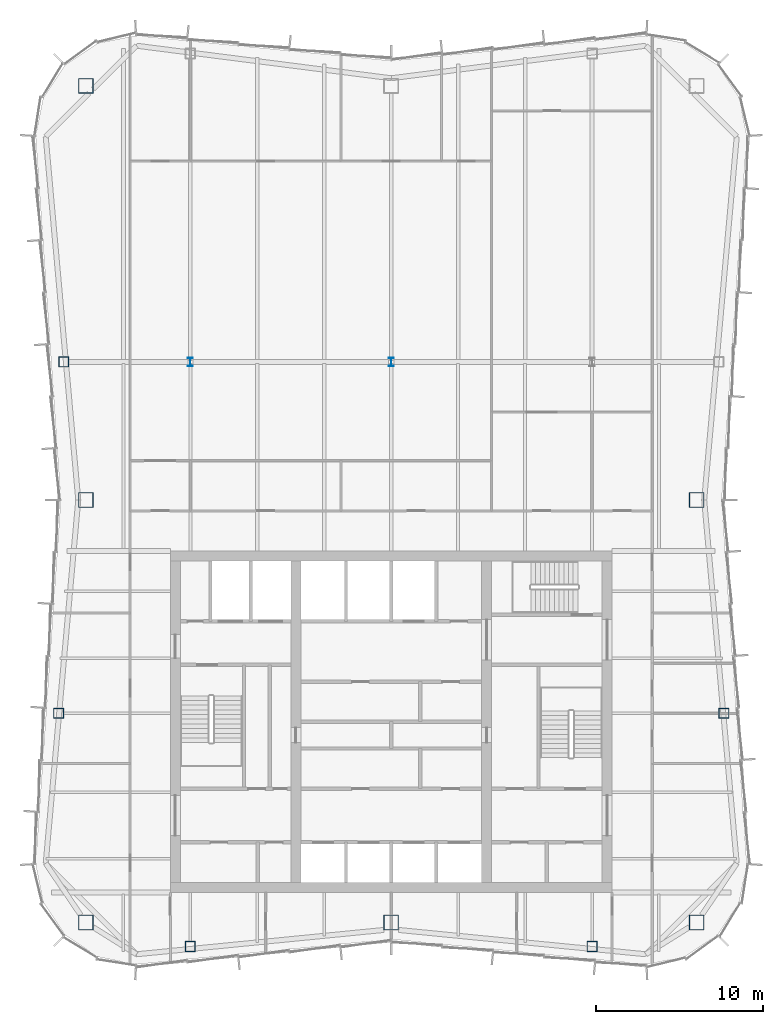
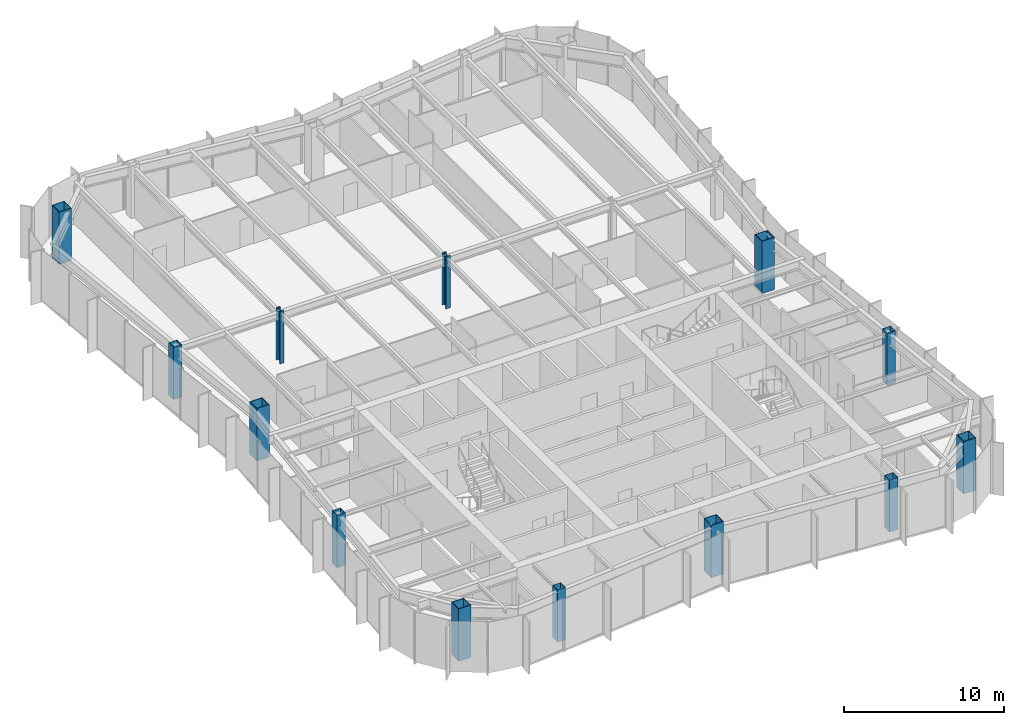
# One storey, part 1 of 13: 13 columns.
"""IFC4 building model written with IfcOpenShell, lengths in metres."""

from ifc_helpers import new_model, si_unit, direction, frame, origin, origin_2d, place, context, subcontext, project, spatial, hollow_rectangle, i_section, extrude, material, material_profile, profile_set, type_object, element, save


model = new_model("IFC4")

# Units and contexts
model_context = context("Model", 3, precision=1e-05, world=origin(), true_north=direction((0.0, 1.0)))
body_context = subcontext(model_context, "Body", "Model", "MODEL_VIEW")
ifc_project = project(units=[si_unit("LENGTHUNIT", "METRE"), si_unit("AREAUNIT", "SQUARE_METRE"), si_unit("VOLUMEUNIT", "CUBIC_METRE"), si_unit("PLANEANGLEUNIT", "RADIAN"), si_unit("MASSUNIT", "GRAM", prefix="KILO")], contexts=[model_context])

# Site, building, storey
site_placement = place(None, origin())
site = spatial("IfcSite", under=ifc_project, at=site_placement, CompositionType="ELEMENT")
building_placement = place(site_placement, origin())
building = spatial("IfcBuilding", under=site, at=building_placement, Name="Verdant Reach Tower", CompositionType="ELEMENT")
storey_placement = place(building_placement, frame((0.0, 0.0, 330.0)))
storey = spatial("IfcBuildingStorey", under=building, at=storey_placement, Name="L76", CompositionType="ELEMENT", Elevation=330.0)

# Columns
ifc_material = material(Name="Steel S460", Category="steel")
ifc_material_profile_1 = material_profile(ifc_material, i_section(OverallWidth=0.305908203125, OverallDepth=0.52392578125, WebThickness=0.012451171875, FlangeThickness=0.0400390625, FilletRadius=0.027099609375, at=origin_2d()), Name="HEM 500")
ifc_profile_set_1 = profile_set([ifc_material_profile_1], Name="Steel S460")
column_type_1 = type_object("IfcColumnType", Name="ST-COL-HEM500", PredefinedType="COLUMN", material=ifc_profile_set_1)
for number, where, z_axis, x_axis, name in (
    (1, (-12.0, 49.5, 0.0), (0.0, 0.0, 1.0), (1.0, 0.0, 0.0), "Interior column 1, L76"),
    (2, (0.0, 49.5, 0.0), (0.0, 0.0, 1.0), (1.0, 0.0, 0.0), "Interior column 2, L76"),
):
    element("IfcColumn", number, at=place(storey_placement, frame(where, z_axis=z_axis, x_axis=x_axis)), inside=storey, type_object=column_type_1, Name=name, PredefinedType="COLUMN", context=body_context, shape_type="SweptSolid", body=[
        extrude(i_section(OverallWidth=0.305908203125, OverallDepth=0.52392578125, WebThickness=0.012451171875, FlangeThickness=0.0400390625, FilletRadius=0.027099609375, at=origin_2d()), origin(), (0.0, 0.0, 1.0), 4.0),
    ])
ifc_material_profile_2 = material_profile(ifc_material, hollow_rectangle(XDim=0.60009765625, YDim=0.60009765625, WallThickness=0.02490234375, at=origin_2d()), Name="WB 600x600x25")
ifc_profile_set_2 = profile_set([ifc_material_profile_2], Name="Steel S460")
column_type_2 = type_object("IfcColumnType", Name="ST-COL-WB600x600x25", PredefinedType="COLUMN", material=ifc_profile_set_2)
for number, where, z_axis, x_axis, name in (
    (3, (-12.0, 14.569580078125, 0.0), (0.0, 0.0, 1.0), (1.0, 0.0, 0.0), "Perimeter column south 1, L76"),
    (4, (12.0, 14.569580078125, 0.0), (0.0, 0.0, 1.0), (1.0, 0.0, 0.0), "Perimeter column south 2, L76"),
    (5, (19.87939453125, 28.5, 0.0), (0.0, 0.0, 1.0), (1.0, 0.0, 0.0), "Perimeter column east 1, L76"),
    (6, (-19.87939453125, 28.5, 0.0), (0.0, 0.0, 1.0), (1.0, 0.0, 0.0), "Perimeter column west 1, L76"),
    (7, (-19.569091796875, 49.5, 0.0), (0.0, 0.0, 1.0), (1.0, 0.0, 0.0), "Perimeter column west 2, L76"),
):
    element("IfcColumn", number, at=place(storey_placement, frame(where, z_axis=z_axis, x_axis=x_axis)), inside=storey, type_object=column_type_2, Name=name, PredefinedType="COLUMN", context=body_context, shape_type="SweptSolid", body=[
        extrude(hollow_rectangle(XDim=0.60009765625, YDim=0.60009765625, WallThickness=0.02490234375, at=origin_2d()), origin(), (0.0, 0.0, 1.0), 4.0),
    ])
ifc_material_profile_3 = material_profile(ifc_material, hollow_rectangle(XDim=0.89990234375, YDim=0.89990234375, WallThickness=0.0400390625, at=origin_2d()), Name="WB 900x900x40")
ifc_profile_set_3 = profile_set([ifc_material_profile_3], Name="Steel S460")
column_type_3 = type_object("IfcColumnType", Name="ST-COL-WB900x900x40", PredefinedType="COLUMN", material=ifc_profile_set_3)
for number, where, z_axis, x_axis, name in (
    (8, (-18.25, 66.0, 0.0), (0.0, 0.0, 1.0), (1.0, 0.0, 0.0), "Mega column north-west, L76"),
    (9, (18.25, 41.25, 0.0), (0.0, 0.0, 1.0), (1.0, 0.0, 0.0), "Mega column east, L76"),
    (10, (18.25, 16.0, 0.0), (0.0, 0.0, 1.0), (1.0, 0.0, 0.0), "Mega column south-east, L76"),
    (11, (0.0, 16.0, 0.0), (0.0, 0.0, 1.0), (1.0, 0.0, 0.0), "Mega column south, L76"),
    (12, (-18.25, 16.0, 0.0), (0.0, 0.0, 1.0), (1.0, 0.0, 0.0), "Mega column south-west, L76"),
    (13, (-18.25, 41.25, 0.0), (0.0, 0.0, 1.0), (1.0, 0.0, 0.0), "Mega column west, L76"),
):
    element("IfcColumn", number, at=place(storey_placement, frame(where, z_axis=z_axis, x_axis=x_axis)), inside=storey, type_object=column_type_3, Name=name, PredefinedType="COLUMN", context=body_context, shape_type="SweptSolid", body=[
        extrude(hollow_rectangle(XDim=0.89990234375, YDim=0.89990234375, WallThickness=0.0400390625, at=origin_2d()), origin(), (0.0, 0.0, 1.0), 4.0),
    ])

save(model, "model.ifc")
